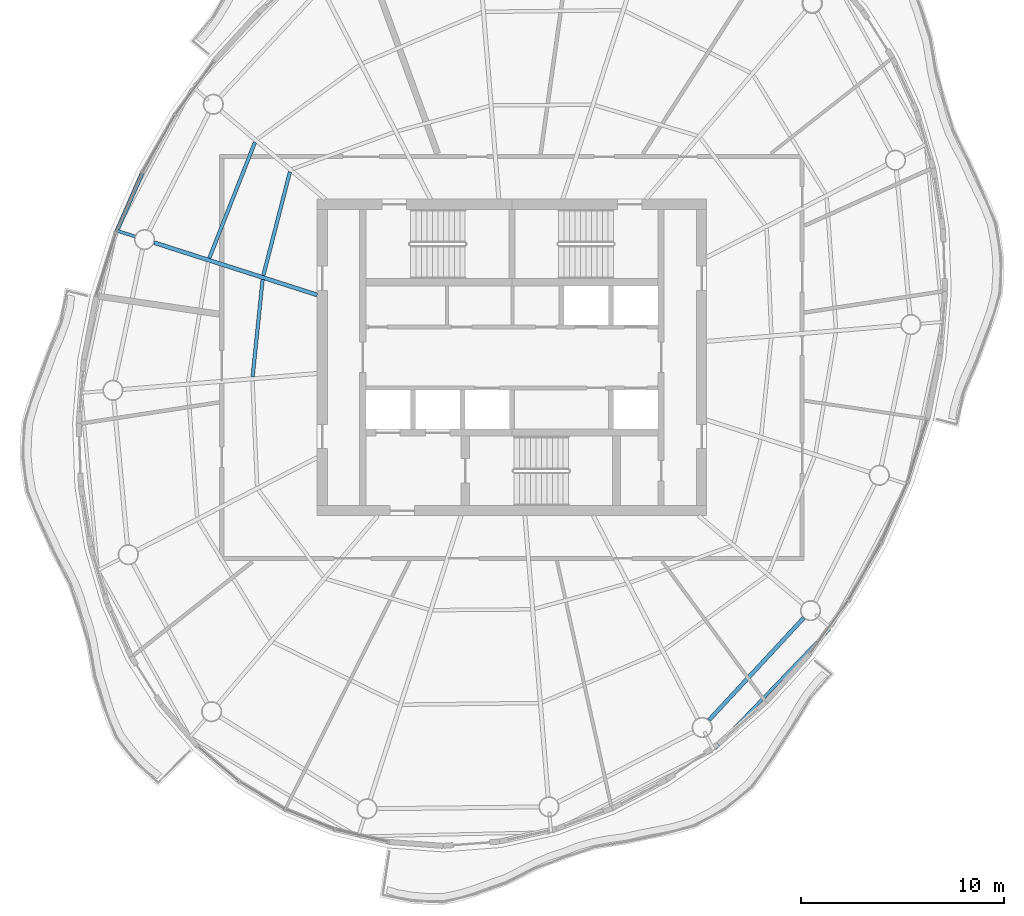
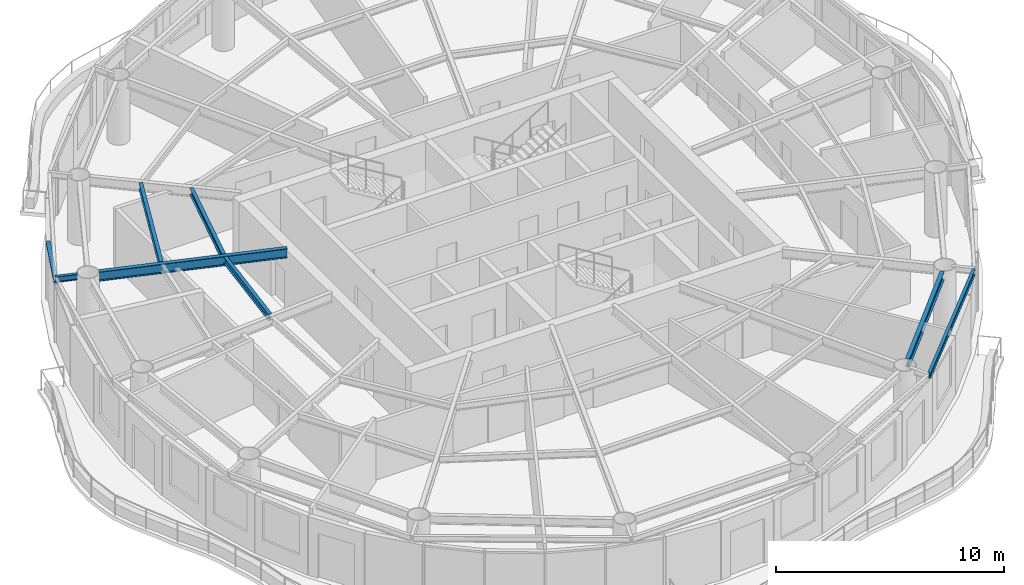
# One storey, part 3 of 13: 7 beams, 1 member, 1 element without a shape of its own.
"""IFC4 building model written with IfcOpenShell, lengths in metres."""

from ifc_helpers import new_model, si_unit, direction, frame, origin, origin_2d, place, context, subcontext, project, spatial, rectangle, i_section, extrude, material, material_profile, profile_set, type_object, element, aggregate, save


model = new_model("IFC4")

# Units and contexts
model_context = context("Model", 3, precision=1e-05, world=origin(), true_north=direction((0.0, 1.0)))
body_context = subcontext(model_context, "Body", "Model", "MODEL_VIEW")
ifc_project = project(units=[si_unit("LENGTHUNIT", "METRE"), si_unit("AREAUNIT", "SQUARE_METRE"), si_unit("VOLUMEUNIT", "CUBIC_METRE"), si_unit("PLANEANGLEUNIT", "RADIAN"), si_unit("MASSUNIT", "GRAM", prefix="KILO")], contexts=[model_context])

# Site, building, storey
site_placement = place(None, origin())
site = spatial("IfcSite", under=ifc_project, at=site_placement, CompositionType="ELEMENT")
building_placement = place(site_placement, origin())
building = spatial("IfcBuilding", under=site, at=building_placement, Name="Vermilion Reach Broadcast Tower", CompositionType="ELEMENT")
storey_placement = place(building_placement, frame((0.0, 0.0, 286.5)))
storey = spatial("IfcBuildingStorey", under=building, at=storey_placement, Name="L71", CompositionType="ELEMENT", Elevation=286.5)

# Beams
ifc_material_1 = material(Name="Steel S355J2", Category="steel")
ifc_material_profile_1 = material_profile(ifc_material_1, i_section(OverallWidth=0.14990234375, OverallDepth=0.300048828125, WebThickness=0.006591796875, FlangeThickness=0.009033203125, at=origin_2d()), Name="S355J2 HN 300x150x6.5x9")
ifc_profile_set_1 = profile_set([ifc_material_profile_1], Name="Steel S355J2")
beam_type_1 = type_object("IfcBeamType", Name="EB5 HN 300x150x6.5x9", PredefinedType="BEAM", material=ifc_profile_set_1)
beam_1_placement = place(storey_placement, frame((3.998779296875, -19.283203125, 3.300048828125), z_axis=(0.692596409153, 0.721325317751, 0.0), x_axis=(-0.721325317751, 0.692596409153, 0.0)))
element("IfcBeam", 1, at=beam_1_placement, inside=storey, type_object=beam_type_1, Name="Edge beam EB5-11", PredefinedType="BEAM", context=body_context, shape_type="SweptSolid", body=[
    extrude(i_section(OverallWidth=0.14990234375, OverallDepth=0.300048828125, WebThickness=0.006591796875, FlangeThickness=0.009033203125, at=origin_2d()), origin(), (0.0, 0.0, 1.0), 8.18359375),
])
ifc_material_2 = material(Name="Steel S355J2", Category="steel")
ifc_material_profile_2 = material_profile(ifc_material_2, i_section(OverallWidth=0.199951171875, OverallDepth=0.5, WebThickness=0.010009765625, FlangeThickness=0.01611328125, at=origin_2d()), Name="S355J2 HN 500x200x10x16")
ifc_profile_set_2 = profile_set([ifc_material_profile_2], Name="Steel S355J2")
beam_type_2 = type_object("IfcBeamType", Name="G5 HN 500x200x10x16", PredefinedType="BEAM", material=ifc_profile_set_2)
beam_2_placement = place(storey_placement, frame((-15.60009765625, 3.080322265625, 3.199951171875), z_axis=(-0.952178453449, 0.305542456604, 0.0), x_axis=(-0.305542456604, -0.952178453449, 0.0)))
element("IfcBeam", 2, at=beam_2_placement, inside=storey, type_object=beam_type_2, Name="Girder G5-05", PredefinedType="BEAM", context=body_context, shape_type="SweptSolid", body=[
    extrude(i_section(OverallWidth=0.199951171875, OverallDepth=0.5, WebThickness=0.010009765625, FlangeThickness=0.01611328125, at=origin_2d()), origin(), (0.0, 0.0, 1.0), 8.43310546875),
])
ifc_material_3 = material(Name="Steel S355J2", Category="steel")
ifc_material_profile_3 = material_profile(ifc_material_3, i_section(OverallWidth=0.14990234375, OverallDepth=0.300048828125, WebThickness=0.006591796875, FlangeThickness=0.009033203125, at=origin_2d()), Name="S355J2 HN 300x150x6.5x9")
ifc_profile_set_3 = profile_set([ifc_material_profile_3], Name="Steel S355J2")
beam_type_3 = type_object("IfcBeamType", Name="GS5 HN 300x150x6.5x9", PredefinedType="BEAM", material=ifc_profile_set_3)
beam_3_placement = place(storey_placement, frame((-24.54345703125, 5.9501953125, 3.300048828125), z_axis=(-0.952234067416, 0.305369089551, 0.0), x_axis=(-0.305369089551, -0.952234067416, 0.0)))
element("IfcBeam", 3, at=beam_3_placement, inside=storey, type_object=beam_type_3, Name="Cantilever stub GS5-05", PredefinedType="BEAM", context=body_context, shape_type="SweptSolid", body=[
    extrude(i_section(OverallWidth=0.14990234375, OverallDepth=0.300048828125, WebThickness=0.006591796875, FlangeThickness=0.009033203125, at=origin_2d()), origin(), (0.0, 0.0, 1.0), 1.000244140625),
])
ifc_material_4 = material(Name="Steel S355J2", Category="steel")
ifc_material_profile_4 = material_profile(ifc_material_4, i_section(OverallWidth=0.199951171875, OverallDepth=0.449951171875, WebThickness=0.009033203125, FlangeThickness=0.013916015625, at=origin_2d()), Name="S355J2 HN 450x200x9x14")
ifc_profile_set_4 = profile_set([ifc_material_profile_4], Name="Steel S355J2")
beam_type_4 = type_object("IfcBeamType", Name="RB5 HN 450x200x9x14", PredefinedType="BEAM", material=ifc_profile_set_4)
beam_4_placement = place(storey_placement, frame((3.716796875, -17.87109375, 3.22509765625), z_axis=(0.679837550075, 0.733362738014, 0.0), x_axis=(-0.733362738014, 0.679837550075, 0.0)))
element("IfcBeam", 4, at=beam_4_placement, inside=storey, type_object=beam_type_4, Name="Ring beam RB5-11", PredefinedType="BEAM", context=body_context, shape_type="SweptSolid", body=[
    extrude(i_section(OverallWidth=0.199951171875, OverallDepth=0.449951171875, WebThickness=0.009033203125, FlangeThickness=0.013916015625, at=origin_2d()), origin(), (0.0, 0.0, 1.0), 6.85546875),
])
ifc_material_5 = material(Name="Steel S355J2", Category="steel")
ifc_material_profile_5 = material_profile(ifc_material_5, i_section(OverallWidth=0.175048828125, OverallDepth=0.35009765625, WebThickness=0.007080078125, FlangeThickness=0.010986328125, at=origin_2d()), Name="S355J2 HN 350x175x7x11")
ifc_profile_set_5 = profile_set([ifc_material_profile_5], Name="Steel S355J2")
beam_type_5 = type_object("IfcBeamType", Name="SB5 HN 350x175x7x11", PredefinedType="BEAM", material=ifc_profile_set_5)
beam_5_placement = place(storey_placement, frame((-16.940185546875, 9.1435546875, 3.27490234375), z_axis=(-0.248729575729, -0.968572969971, 0.0), x_axis=(0.968572969971, -0.248729575729, 0.0)))
element("IfcBeam", 5, at=beam_5_placement, inside=storey, type_object=beam_type_5, Name="Secondary beam SB5-04-1", PredefinedType="BEAM", context=body_context, shape_type="SweptSolid", body=[
    extrude(i_section(OverallWidth=0.175048828125, OverallDepth=0.35009765625, WebThickness=0.007080078125, FlangeThickness=0.010986328125, at=origin_2d()), origin(), (0.0, 0.0, 1.0), 5.27294921875),
])
beam_6_placement = place(storey_placement, frame((-18.6630859375, 10.604248046875, 3.27490234375), z_axis=(-0.366931189603, -0.930248086317, 0.0), x_axis=(0.930248086317, -0.366931189603, 0.0)))
element("IfcBeam", 6, at=beam_6_placement, inside=storey, type_object=beam_type_5, Name="Secondary beam SB5-04-2", PredefinedType="BEAM", context=body_context, shape_type="SweptSolid", body=[
    extrude(i_section(OverallWidth=0.175048828125, OverallDepth=0.35009765625, WebThickness=0.007080078125, FlangeThickness=0.010986328125, at=origin_2d()), origin(), (0.0, 0.0, 1.0), 6.141357421875),
])
beam_7_placement = place(storey_placement, frame((-18.287109375, 3.837646484375, 3.27490234375), z_axis=(-0.102113775264, -0.994772726255, 0.0), x_axis=(0.994772726255, -0.102113775264, 0.0)))
element("IfcBeam", 7, at=beam_7_placement, inside=storey, type_object=beam_type_5, Name="Secondary beam SB5-05-1", PredefinedType="BEAM", context=body_context, shape_type="SweptSolid", body=[
    extrude(i_section(OverallWidth=0.175048828125, OverallDepth=0.35009765625, WebThickness=0.007080078125, FlangeThickness=0.010986328125, at=origin_2d()), origin(), (0.0, 0.0, 1.0), 4.815185546875),
])

# Curtain wall, member
ifc_material_6 = material(Name="Low-e laminated clear glass in aluminium frame", Category="aluminium")
curtain_wall_type = type_object("IfcCurtainWallType", Name="Slot curtain wall", PredefinedType="NOTDEFINED", material=ifc_material_6)
curtain_wall_placement = place(storey_placement, origin())
curtain_wall = element("IfcCurtainWall", 8, at=curtain_wall_placement, inside=storey, type_object=curtain_wall_type, Name="Slot curtain wall L71 12", PredefinedType="NOTDEFINED")
ifc_material_7 = material(Name="Anodised aluminium", Category="aluminium")
ifc_material_profile_6 = material_profile(ifc_material_7, rectangle(XDim=0.199951171875, YDim=0.10009765625, at=origin_2d()), Name="Slot transom 200 x 100")
ifc_profile_set_6 = profile_set([ifc_material_profile_6], Name="Anodised aluminium")
member_type = type_object("IfcMemberType", Name="Slot transom 200 x 100", PredefinedType="USERDEFINED", material=ifc_profile_set_6)
member_placement = place(storey_placement, frame((-24.220947265625, 9.095458984375, 3.10009765625), z_axis=(-0.399768790366, -0.916616012433, 0.0), x_axis=(0.916616012433, -0.399768790366, 0.0)))
member = element("IfcMember", 9, at=member_placement, type_object=member_type, Name="Slot transom L71 12.1", ObjectType="TRANSOM", PredefinedType="USERDEFINED", context=body_context, shape_type="SweptSolid", body=[
    extrude(rectangle(XDim=0.199951171875, YDim=0.10009765625, at=origin_2d()), origin(), (0.0, 0.0, 1.0), 3.184326171875),
])
aggregate(curtain_wall, [member])

save(model, "model.ifc")
